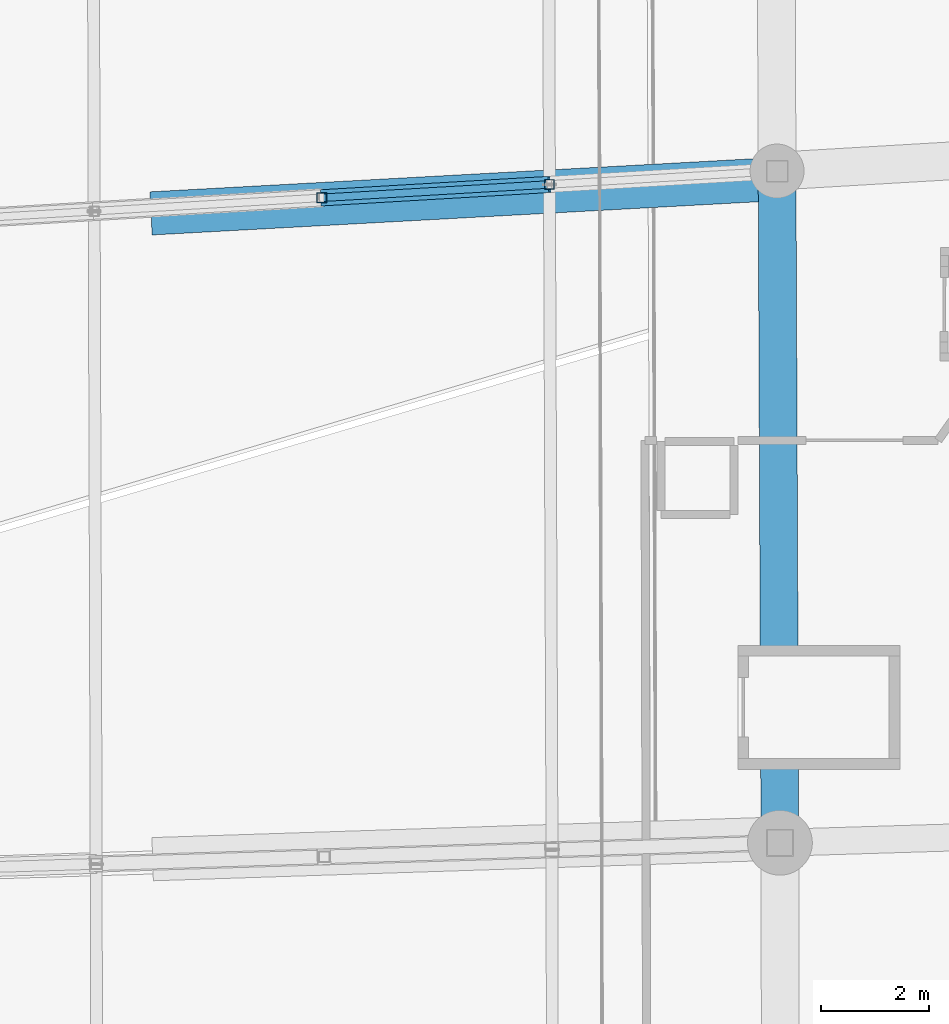
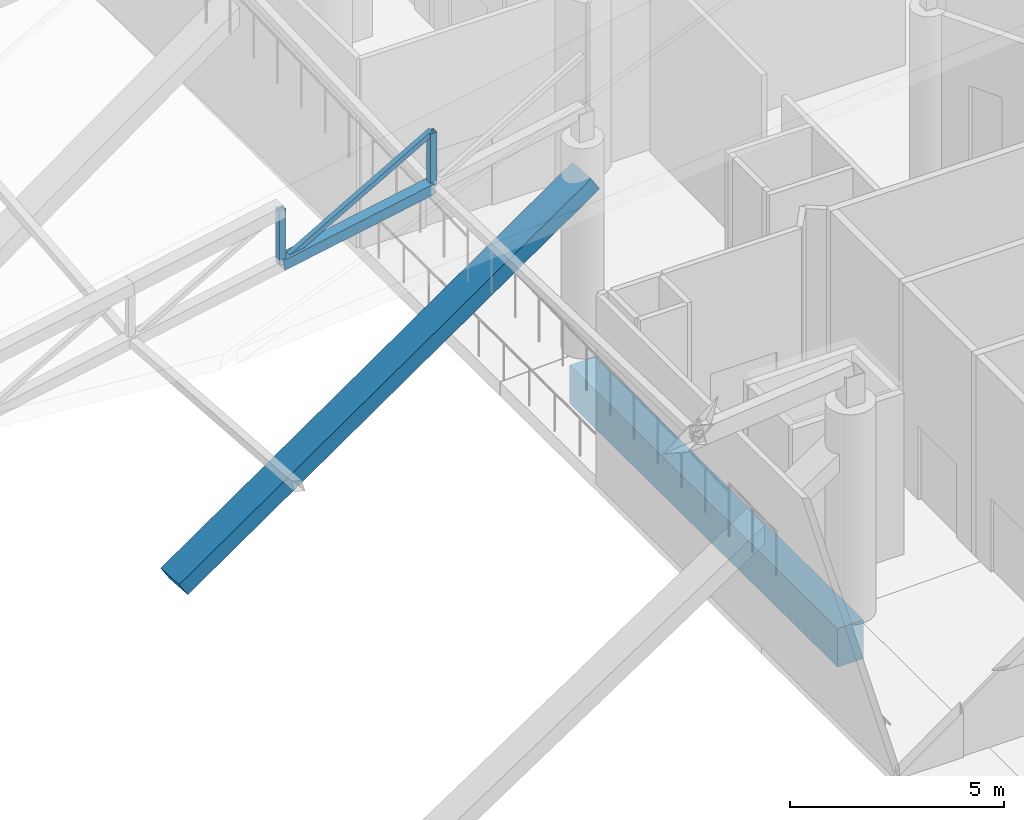
# One storey, part 179 of 344: 4 members, 2 beams.
"""IFC4 building model written with IfcOpenShell, lengths in metres."""

from ifc_helpers import new_model, si_unit, direction, frame, origin, origin_2d, place, context, subcontext, project, spatial, rectangle, hollow_rectangle, extrude, material, material_profile, profile_set, type_object, element, save


model = new_model("IFC4")

# Units and contexts
model_context = context("Model", 3, precision=1e-05, world=origin(), true_north=direction((0.0, 1.0)))
body_context = subcontext(model_context, "Body", "Model", "MODEL_VIEW")
ifc_project = project(units=[si_unit("LENGTHUNIT", "METRE"), si_unit("AREAUNIT", "SQUARE_METRE"), si_unit("VOLUMEUNIT", "CUBIC_METRE"), si_unit("PLANEANGLEUNIT", "RADIAN"), si_unit("MASSUNIT", "GRAM", prefix="KILO")], contexts=[model_context])

# Site, building, storey
site_placement = place(None, origin())
site = spatial("IfcSite", under=ifc_project, at=site_placement, CompositionType="ELEMENT")
building_placement = place(site_placement, origin())
building = spatial("IfcBuilding", under=site, at=building_placement, Name="Meseta Stadium", CompositionType="ELEMENT")
storey_placement = place(building_placement, frame((0.0, 0.0, 24.0)))
storey = spatial("IfcBuildingStorey", under=building, at=storey_placement, Name="L04", CompositionType="ELEMENT", Elevation=24.0)

# Beams
ifc_material_1 = material(Name="Concrete C40/50", Category="concrete")
ifc_material_profile_1 = material_profile(ifc_material_1, rectangle(XDim=0.699951171875, YDim=1.10009765625, at=origin_2d()), Name="RC 700x1100")
ifc_profile_set_1 = profile_set([ifc_material_profile_1], Name="Concrete C40/50")
beam_type_1 = type_object("IfcBeamType", Name="RC beam 700x1100", PredefinedType="BEAM", material=ifc_profile_set_1)
beam_1_placement = place(storey_placement, frame((84.978515625, 18.24365234375, -0.949951171875), z_axis=(-0.004279001378, 0.999990845032, 0.0), x_axis=(-0.999990845032, -0.004279001378, 0.0)))
element("IfcBeam", 1, at=beam_1_placement, inside=storey, type_object=beam_type_1, Name="L04 ring beam frame 6 line P", PredefinedType="BEAM", context=body_context, shape_type="SweptSolid", body=[
    extrude(rectangle(XDim=0.699951171875, YDim=1.10009765625, at=origin_2d()), origin(), (0.0, 0.0, 1.0), 12.43798828125),
])
ifc_material_2 = material(Name="Concrete C40/50", Category="concrete")
ifc_material_profile_2 = material_profile(ifc_material_2, rectangle(XDim=0.800048828125, YDim=0.449951171875, at=origin_2d()), Name="RC 800x450")
ifc_profile_set_2 = profile_set([ifc_material_profile_2], Name="Concrete C40/50")
beam_type_2 = type_object("IfcBeamType", Name="RC raker upper rear 800x450", PredefinedType="USERDEFINED", material=ifc_profile_set_2)
beam_2_placement = place(storey_placement, frame((73.451416015625, 29.904052734375, -2.212158203125), z_axis=(0.846740729014, 0.046430045715, 0.529975837831), x_axis=(-0.054751589678, 0.998500006724, 0.0)))
element("IfcBeam", 2, at=beam_2_placement, inside=storey, type_object=beam_type_2, Name="Raker upper rear frame 7 upper tier", ObjectType="RAKER", PredefinedType="USERDEFINED", context=body_context, shape_type="SweptSolid", body=[
    extrude(rectangle(XDim=0.800048828125, YDim=0.449951171875, at=origin_2d()), origin(), (0.0, 0.0, 1.0), 13.56103515625),
])

# Members
ifc_material_3 = material(Name="Steel S355", Category="steel")
ifc_material_profile_3 = material_profile(ifc_material_3, hollow_rectangle(XDim=0.139892578125, YDim=0.139892578125, WallThickness=0.0048828125, at=origin_2d()), Name="SHS 140x140x5")
ifc_profile_set_3 = profile_set([ifc_material_profile_3], Name="Steel S355")
member_type_1 = type_object("IfcMemberType", Name="SHS 140x140x5 diagonal", PredefinedType="BRACE", material=ifc_profile_set_3)
member_1_placement = place(storey_placement, frame((76.495361328125, 30.1865234375, 5.654296875), z_axis=(0.891510585173, 0.052359787626, 0.449963697608), x_axis=(-0.058630505001, 0.998279752316, 0.0)))
element("IfcMember", 3, at=member_1_placement, inside=storey, type_object=member_type_1, Name="ROOF TRUSS RT-07 diagonal", PredefinedType="BRACE", context=body_context, shape_type="SweptSolid", body=[
    extrude(hollow_rectangle(XDim=0.139892578125, YDim=0.139892578125, WallThickness=0.0048828125, at=origin_2d()), origin(), (0.0, 0.0, 1.0), 4.72802734375),
])
ifc_material_4 = material(Name="Steel S355", Category="steel")
ifc_material_profile_4 = material_profile(ifc_material_4, hollow_rectangle(XDim=0.179931640625, YDim=0.179931640625, WallThickness=0.00634765625, at=origin_2d()), Name="SHS 180x180x6.3")
ifc_profile_set_4 = profile_set([ifc_material_profile_4], Name="Steel S355")
member_type_2 = type_object("IfcMemberType", Name="SHS 180x180x6.3 post", PredefinedType="POST", material=ifc_profile_set_4)
for number, where, z_axis, x_axis, name in (
    (4, (76.495361328125, 30.1865234375, 5.654296875), (0.0, 0.0, 1.0), (1.0, 0.0, 0.0), "ROOF TRUSS RT-07 post"),
    (5, (80.71044921875, 30.43408203125, 6.22705078125), (0.0, 0.0, 1.0), (1.0, 0.0, 0.0), "ROOF TRUSS RT-07 post"),
):
    element("IfcMember", number, at=place(storey_placement, frame(where, z_axis=z_axis, x_axis=x_axis)), inside=storey, type_object=member_type_2, Name=name, PredefinedType="POST", context=body_context, shape_type="SweptSolid", body=[
        extrude(hollow_rectangle(XDim=0.179931640625, YDim=0.179931640625, WallThickness=0.00634765625, at=origin_2d()), origin(), (0.0, 0.0, 1.0), 1.5546875),
    ])
ifc_material_5 = material(Name="Steel S355", Category="steel")
ifc_material_profile_5 = material_profile(ifc_material_5, hollow_rectangle(XDim=0.300048828125, YDim=0.300048828125, WallThickness=0.010009765625, at=origin_2d()), Name="SHS 300x300x10")
ifc_profile_set_5 = profile_set([ifc_material_profile_5], Name="Steel S355")
member_type_3 = type_object("IfcMemberType", Name="SHS 300x300x10 bottom chord", PredefinedType="CHORD", material=ifc_profile_set_5)
member_2_placement = place(storey_placement, frame((76.495361328125, 30.1865234375, 5.654296875), z_axis=(0.98922021104, 0.058098424211, 0.134417064298), x_axis=(-0.058630505001, 0.998279752316, 0.0)))
element("IfcMember", 6, at=member_2_placement, inside=storey, type_object=member_type_3, Name="ROOF TRUSS RT-07 bottom chord", PredefinedType="CHORD", context=body_context, shape_type="SweptSolid", body=[
    extrude(hollow_rectangle(XDim=0.300048828125, YDim=0.300048828125, WallThickness=0.010009765625, at=origin_2d()), origin(), (0.0, 0.0, 1.0), 4.260986328125),
])

save(model, "model.ifc")
